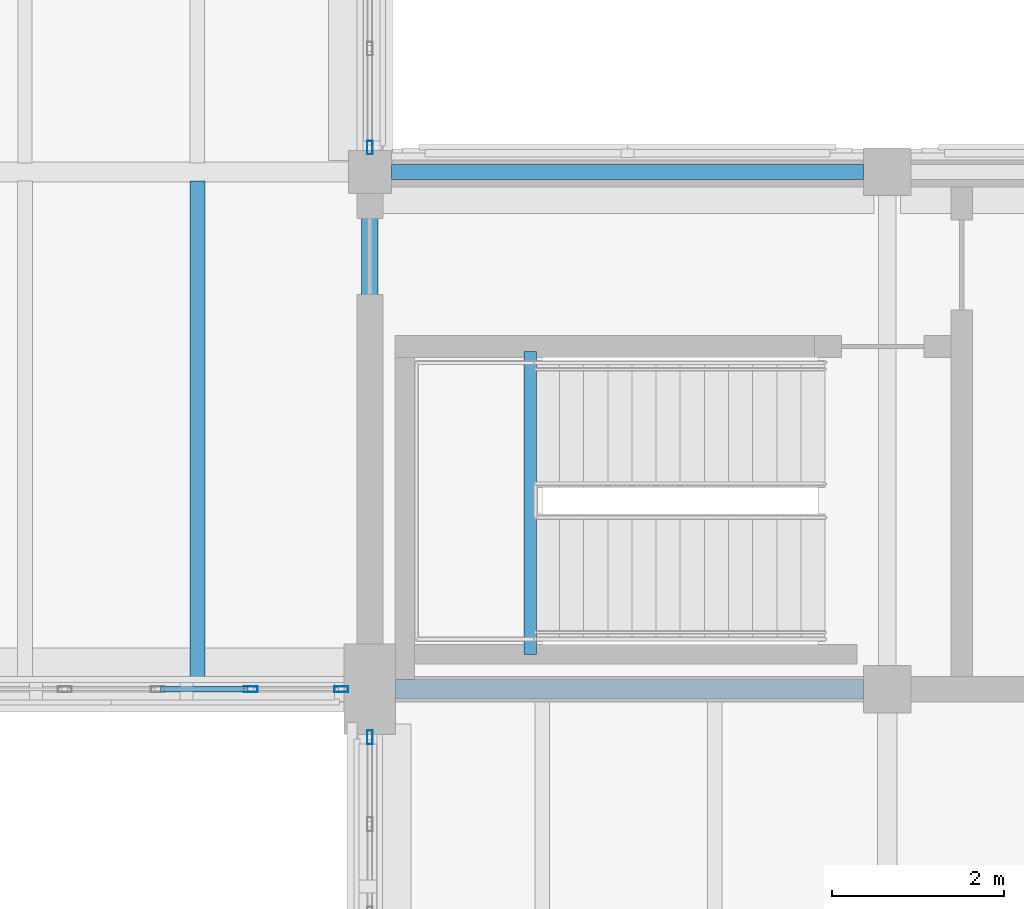
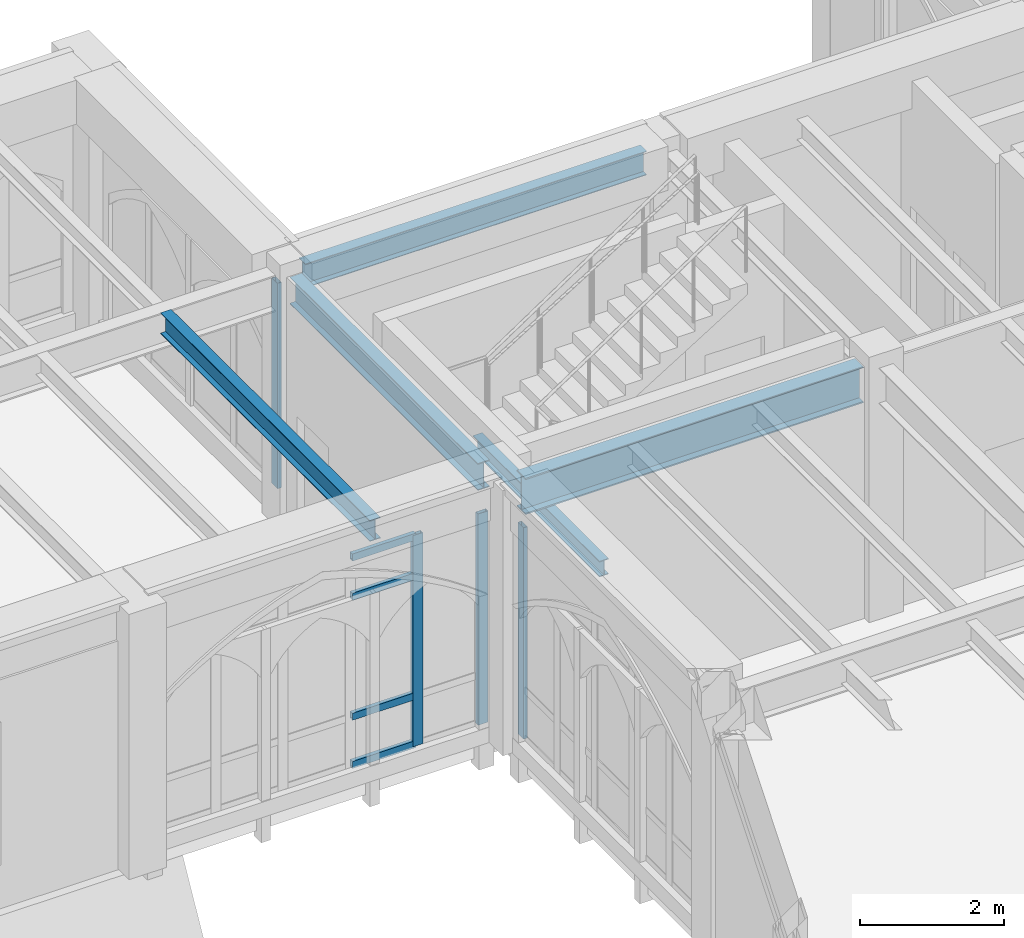
# One storey, part 65 of 143: 8 members, 5 beams, 3 elements without a shape of their own.
"""IFC4 building model written with IfcOpenShell, lengths in metres."""

from ifc_helpers import new_model, si_unit, direction, frame, origin, origin_2d, place, context, subcontext, project, spatial, hollow_rectangle, i_section, extrude, material, layer, layer_set, material_profile, profile_set, type_object, element, aggregate, save


model = new_model("IFC4")

# Units and contexts
model_context = context("Model", 3, precision=1e-05, world=origin(), true_north=direction((0.0, 1.0)))
body_context = subcontext(model_context, "Body", "Model", "MODEL_VIEW")
ifc_project = project(units=[si_unit("LENGTHUNIT", "METRE"), si_unit("AREAUNIT", "SQUARE_METRE"), si_unit("VOLUMEUNIT", "CUBIC_METRE"), si_unit("PLANEANGLEUNIT", "RADIAN"), si_unit("MASSUNIT", "GRAM", prefix="KILO")], contexts=[model_context])

# Site, building, storey
site_placement = place(None, origin())
site = spatial("IfcSite", under=ifc_project, at=site_placement, CompositionType="ELEMENT")
building_placement = place(site_placement, origin())
building = spatial("IfcBuilding", under=site, at=building_placement, Name="Cumevento Cable Car Station", CompositionType="ELEMENT")
storey_placement = place(building_placement, frame((0.0, 0.0, 9.0)))
storey = spatial("IfcBuildingStorey", under=building, at=storey_placement, Name="L03", CompositionType="ELEMENT", Elevation=9.0)

# Curtain wall, members
ifc_material_1 = material(Name="Anodised Bronze Aluminium AW-6063-T6", Category="aluminium")
ifc_layer_1 = layer(ifc_material_1, 0.172119140625)
ifc_layer_set_1 = layer_set([ifc_layer_1], Name="Anodised Bronze Aluminium AW-6063-T6")
curtain_wall_type_1 = type_object("IfcCurtainWallType", Name="Lancet Curtain Wall CW-03 1130", PredefinedType="NOTDEFINED", material=ifc_layer_set_1)
curtain_wall_1_placement = place(storey_placement, origin())
curtain_wall_1 = element("IfcCurtainWall", 1, at=curtain_wall_1_placement, inside=storey, type_object=curtain_wall_type_1, Name="Lancet Curtain Wall CW-03 L03 #114", PredefinedType="NOTDEFINED")
ifc_material_2 = material(Name="Anodised Bronze Aluminium AW-6063-T6", Category="aluminium")
ifc_material_profile_1 = material_profile(ifc_material_2, hollow_rectangle(XDim=0.06494140625, YDim=0.159912109375, WallThickness=0.00390625, at=origin_2d()), Name="ALUM65x160x4")
ifc_profile_set_1 = profile_set([ifc_material_profile_1], Name="Anodised Bronze Aluminium AW-6063-T6")
member_type_1 = type_object("IfcMemberType", Name="Curtain Mullion CWM-01 ALUM65x160x4", PredefinedType="MULLION", material=ifc_profile_set_1)
member_1_placement = place(storey_placement, frame((117.66748046875, 45.0, 0.260009765625), z_axis=(0.0, 0.0, 1.0), x_axis=(0.0, -1.0, 0.0)))
member_1 = element("IfcMember", 2, at=member_1_placement, type_object=member_type_1, Name="CW-03 mullion 1", PredefinedType="MULLION", context=body_context, shape_type="SweptSolid", body=[
    extrude(hollow_rectangle(XDim=0.06494140625, YDim=0.159912109375, WallThickness=0.00390625, at=origin_2d()), origin(), (0.0, 0.0, 1.0), 3.5849609375),
])
member_2_placement = place(storey_placement, frame((116.6201171875, 45.0, 0.260009765625), z_axis=(0.0, 0.0, 1.0), x_axis=(0.0, -1.0, 0.0)))
member_2 = element("IfcMember", 3, at=member_2_placement, type_object=member_type_1, Name="CW-03 mullion 2", PredefinedType="MULLION", context=body_context, shape_type="SweptSolid", body=[
    extrude(hollow_rectangle(XDim=0.06494140625, YDim=0.159912109375, WallThickness=0.00390625, at=origin_2d()), origin(), (0.0, 0.0, 1.0), 3.5849609375),
])

# Curtain wall, member
ifc_material_3 = material(Name="Anodised Bronze Aluminium AW-6063-T6", Category="aluminium")
ifc_layer_2 = layer(ifc_material_3, 0.18408203125)
ifc_layer_set_2 = layer_set([ifc_layer_2], Name="Anodised Bronze Aluminium AW-6063-T6")
curtain_wall_type_2 = type_object("IfcCurtainWallType", Name="Lancet Curtain Wall CW-05 1210", PredefinedType="NOTDEFINED", material=ifc_layer_set_2)
curtain_wall_2_placement = place(storey_placement, origin())
curtain_wall_2 = element("IfcCurtainWall", 4, at=curtain_wall_2_placement, inside=storey, type_object=curtain_wall_type_2, Name="Lancet Curtain Wall CW-05 L03 #116", PredefinedType="NOTDEFINED")
member_3_placement = place(storey_placement, frame((118.0, 51.282470703125, 0.360107421875), z_axis=(0.0, 0.0, 1.0), x_axis=(1.0, 0.0, 0.0)))
member_3 = element("IfcMember", 5, at=member_3_placement, type_object=member_type_1, Name="CW-05 mullion 5", PredefinedType="MULLION", context=body_context, shape_type="SweptSolid", body=[
    extrude(hollow_rectangle(XDim=0.06494140625, YDim=0.159912109375, WallThickness=0.00390625, at=origin_2d()), origin(), (0.0, 0.0, 1.0), 3.48486328125),
])
aggregate(curtain_wall_2, [member_3])

curtain_wall_3_placement = place(storey_placement, origin())
curtain_wall_3 = element("IfcCurtainWall", 6, at=curtain_wall_3_placement, inside=storey, type_object=curtain_wall_type_1, Name="Lancet Curtain Wall CW-03 L03 #130", PredefinedType="NOTDEFINED")
member_4_placement = place(storey_placement, frame((118.0, 44.4423828125, 0.260009765625), z_axis=(0.0, 0.0, 1.0), x_axis=(-1.0, 0.0, 0.0)))
member_4 = element("IfcMember", 7, at=member_4_placement, type_object=member_type_1, Name="CW-03 mullion 6", PredefinedType="MULLION", context=body_context, shape_type="SweptSolid", body=[
    extrude(hollow_rectangle(XDim=0.06494140625, YDim=0.159912109375, WallThickness=0.00390625, at=origin_2d()), origin(), (0.0, 0.0, 1.0), 3.5849609375),
])
aggregate(curtain_wall_3, [member_4])

# Member
ifc_material_4 = material(Name="Anodised Bronze Aluminium AW-6063-T6", Category="aluminium")
ifc_material_profile_2 = material_profile(ifc_material_4, hollow_rectangle(XDim=0.06494140625, YDim=0.1201171875, WallThickness=0.00390625, at=origin_2d()), Name="ALUT65x120x4")
ifc_profile_set_2 = profile_set([ifc_material_profile_2], Name="Anodised Bronze Aluminium AW-6063-T6")
member_type_2 = type_object("IfcMemberType", Name="Curtain Transom CWT-01 ALUT65x120x4", PredefinedType="USERDEFINED", material=ifc_profile_set_2)
member_5_placement = place(storey_placement, frame((116.58740234375, 45.0, 0.29248046875), z_axis=(-1.0, 0.0, 0.0), x_axis=(0.0, -1.0, 0.0)))
member_5 = element("IfcMember", 8, at=member_5_placement, type_object=member_type_2, Name="CW-03 transom 2.1", ObjectType="TRANSOM", PredefinedType="USERDEFINED", context=body_context, shape_type="SweptSolid", body=[
    extrude(hollow_rectangle(XDim=0.06494140625, YDim=0.1201171875, WallThickness=0.00390625, at=origin_2d()), origin(), (0.0, 0.0, 1.0), 1.014892578125),
])

member_6_placement = place(storey_placement, frame((116.58740234375, 45.0, 1.110107421875), z_axis=(-1.0, 0.0, 0.0), x_axis=(0.0, -1.0, 0.0)))
member_6 = element("IfcMember", 9, at=member_6_placement, type_object=member_type_2, Name="CW-03 transom 2.2", ObjectType="TRANSOM", PredefinedType="USERDEFINED", context=body_context, shape_type="SweptSolid", body=[
    extrude(hollow_rectangle(XDim=0.06494140625, YDim=0.1201171875, WallThickness=0.00390625, at=origin_2d()), origin(), (0.0, 0.0, 1.0), 1.014892578125),
])

member_7_placement = place(storey_placement, frame((116.58740234375, 45.0, 3.14501953125), z_axis=(-1.0, 0.0, 0.0), x_axis=(0.0, -1.0, 0.0)))
member_7 = element("IfcMember", 10, at=member_7_placement, type_object=member_type_2, Name="CW-03 transom 2.3", ObjectType="TRANSOM", PredefinedType="USERDEFINED", context=body_context, shape_type="SweptSolid", body=[
    extrude(hollow_rectangle(XDim=0.06494140625, YDim=0.1201171875, WallThickness=0.00390625, at=origin_2d()), origin(), (0.0, 0.0, 1.0), 1.014892578125),
])

member_8_placement = place(storey_placement, frame((116.58740234375, 45.0, 3.8125), z_axis=(-1.0, 0.0, 0.0), x_axis=(0.0, -1.0, 0.0)))
member_8 = element("IfcMember", 11, at=member_8_placement, type_object=member_type_2, Name="CW-03 transom 2.4", ObjectType="TRANSOM", PredefinedType="USERDEFINED", context=body_context, shape_type="SweptSolid", body=[
    extrude(hollow_rectangle(XDim=0.06494140625, YDim=0.1201171875, WallThickness=0.00390625, at=origin_2d()), origin(), (0.0, 0.0, 1.0), 1.014892578125),
])

aggregate(curtain_wall_1, [member_1, member_2, member_5, member_6, member_7, member_8])

# Beams
ifc_material_5 = material(Name="Steel ASTM A572 Grade 50", Category="steel")
ifc_material_profile_3 = material_profile(ifc_material_5, i_section(OverallWidth=0.22998046875, OverallDepth=0.616943359375, WebThickness=0.01318359375, FlangeThickness=0.022216796875, at=origin_2d()), Name="W610x140.0")
ifc_profile_set_3 = profile_set([ifc_material_profile_3], Name="Steel ASTM A572 Grade 50")
beam_type_1 = type_object("IfcBeamType", Name="Structural Beam BM-01 W610x140.0", PredefinedType="BEAM", material=ifc_profile_set_3)
beam_1_placement = place(storey_placement, frame((118.300048828125, 45.0, 3.943603515625), z_axis=(1.0, 0.0, 0.0), x_axis=(0.0, 1.0, 0.0)))
element("IfcBeam", 12, at=beam_1_placement, inside=storey, type_object=beam_type_1, Name="Beam BM-01 L03 #1153", PredefinedType="BEAM", context=body_context, shape_type="SweptSolid", body=[
    extrude(i_section(OverallWidth=0.22998046875, OverallDepth=0.616943359375, WebThickness=0.01318359375, FlangeThickness=0.022216796875, at=origin_2d()), origin(), (0.0, 0.0, 1.0), 5.425048828125),
])
ifc_material_6 = material(Name="Steel ASTM A572 Grade 50", Category="steel")
ifc_material_profile_4 = material_profile(ifc_material_6, i_section(OverallWidth=0.18994140625, OverallDepth=0.45703125, WebThickness=0.009033203125, FlangeThickness=0.014404296875, at=origin_2d()), Name="W460x74.0")
ifc_profile_set_4 = profile_set([ifc_material_profile_4], Name="Steel ASTM A572 Grade 50")
beam_type_2 = type_object("IfcBeamType", Name="Structural Beam BM-04 W460x74.0", PredefinedType="BEAM", material=ifc_profile_set_4)
beam_2_placement = place(storey_placement, frame((118.0, 45.52490234375, 4.0234375), z_axis=(0.0, 1.0, 0.0), x_axis=(-1.0, 0.0, 0.0)))
element("IfcBeam", 13, at=beam_2_placement, inside=storey, type_object=beam_type_2, Name="Beam BM-04 L03 #1106", PredefinedType="BEAM", context=body_context, shape_type="SweptSolid", body=[
    extrude(i_section(OverallWidth=0.18994140625, OverallDepth=0.45703125, WebThickness=0.009033203125, FlangeThickness=0.014404296875, at=origin_2d()), origin(), (0.0, 0.0, 1.0), 5.22509765625),
])
ifc_material_7 = material(Name="Steel ASTM A572 Grade 50", Category="steel")
ifc_material_profile_5 = material_profile(ifc_material_7, i_section(OverallWidth=0.14794921875, OverallDepth=0.26611328125, WebThickness=0.007568359375, FlangeThickness=0.012939453125, at=origin_2d()), Name="W250x44.8")
ifc_profile_set_5 = profile_set([ifc_material_profile_5], Name="Steel ASTM A572 Grade 50")
beam_type_3 = type_object("IfcBeamType", Name="Structural Beam BM-07 W250x44.8", PredefinedType="BEAM", material=ifc_profile_set_5)
beam_3_placement = place(storey_placement, frame((119.860107421875, 45.39990234375, 1.8779296875), z_axis=(0.0, 1.0, 0.0), x_axis=(-1.0, 0.0, 0.0)))
element("IfcBeam", 14, at=beam_3_placement, inside=storey, type_object=beam_type_3, Name="Core Stair Half-Landing Trimmer ST-06-L03", PredefinedType="BEAM", context=body_context, shape_type="SweptSolid", body=[
    extrude(i_section(OverallWidth=0.14794921875, OverallDepth=0.26611328125, WebThickness=0.007568359375, FlangeThickness=0.012939453125, at=origin_2d()), origin(), (0.0, 0.0, 1.0), 3.52001953125),
])
ifc_material_8 = material(Name="Steel ASTM A572 Grade 50", Category="steel")
ifc_material_profile_6 = material_profile(ifc_material_8, i_section(OverallWidth=0.1708984375, OverallDepth=0.35498046875, WebThickness=0.007080078125, FlangeThickness=0.01171875, at=origin_2d()), Name="W360x51.0")
ifc_profile_set_6 = profile_set([ifc_material_profile_6], Name="Steel ASTM A572 Grade 50")
beam_type_4 = type_object("IfcBeamType", Name="Structural Joist JS-01 W360x51.0", PredefinedType="JOIST", material=ifc_profile_set_6)
beam_4_placement = place(storey_placement, frame((116.0, 45.076904296875, 4.074462890625), z_axis=(0.0, 1.0, 0.0), x_axis=(-1.0, 0.0, 0.0)))
element("IfcBeam", 15, at=beam_4_placement, inside=storey, type_object=beam_type_4, Name="Composite Floor Joist JS-01 L03 #1282", PredefinedType="JOIST", context=body_context, shape_type="SweptSolid", body=[
    extrude(i_section(OverallWidth=0.1708984375, OverallDepth=0.35498046875, WebThickness=0.007080078125, FlangeThickness=0.01171875, at=origin_2d()), origin(), (0.0, 0.0, 1.0), 5.820068359375),
])
ifc_material_9 = material(Name="Steel ASTM A572 Grade 50", Category="steel")
ifc_material_profile_7 = material_profile(ifc_material_9, i_section(OverallWidth=0.177978515625, OverallDepth=0.406982421875, WebThickness=0.0078125, FlangeThickness=0.0126953125, at=origin_2d()), Name="W410x60.0")
ifc_profile_set_7 = profile_set([ifc_material_profile_7], Name="Steel ASTM A572 Grade 50")
beam_type_5 = type_object("IfcBeamType", Name="Structural Spandrel SP-01 W410x60.0", PredefinedType="SPANDREL", material=ifc_profile_set_7)
beam_5_placement = place(storey_placement, frame((118.25, 51.0, 4.048583984375), z_axis=(1.0, 0.0, 0.0), x_axis=(0.0, 1.0, 0.0)))
element("IfcBeam", 16, at=beam_5_placement, inside=storey, type_object=beam_type_5, Name="Beam SP-01 L03 #1189", PredefinedType="SPANDREL", context=body_context, shape_type="SweptSolid", body=[
    extrude(i_section(OverallWidth=0.177978515625, OverallDepth=0.406982421875, WebThickness=0.0078125, FlangeThickness=0.0126953125, at=origin_2d()), origin(), (0.0, 0.0, 1.0), 5.47509765625),
])

save(model, "model.ifc")
